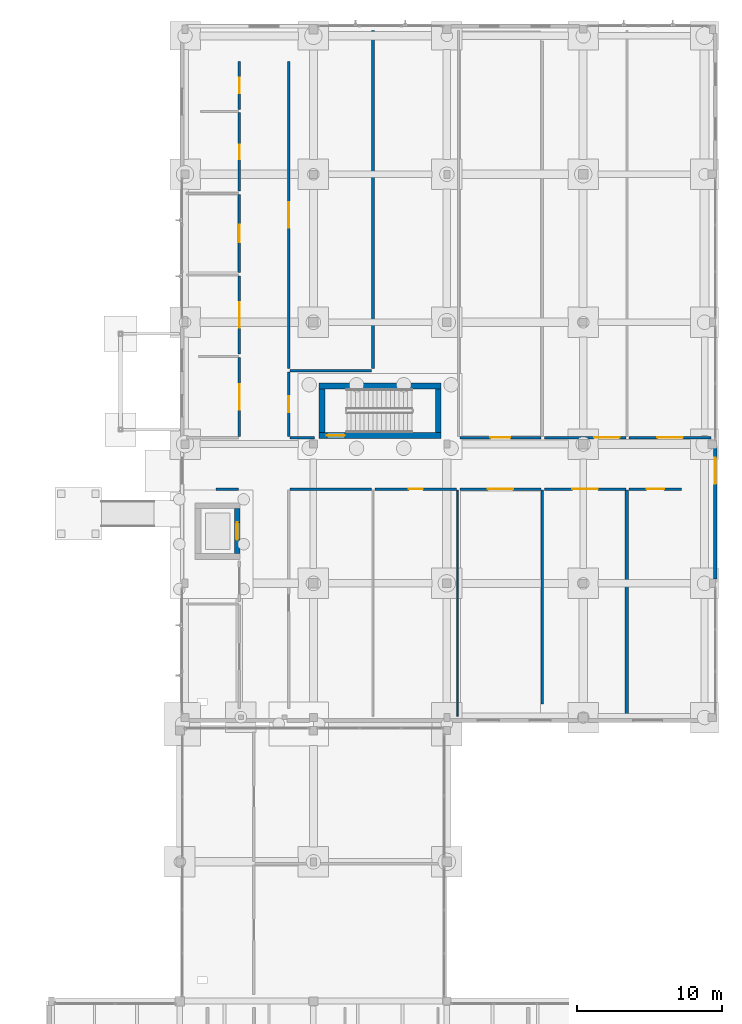
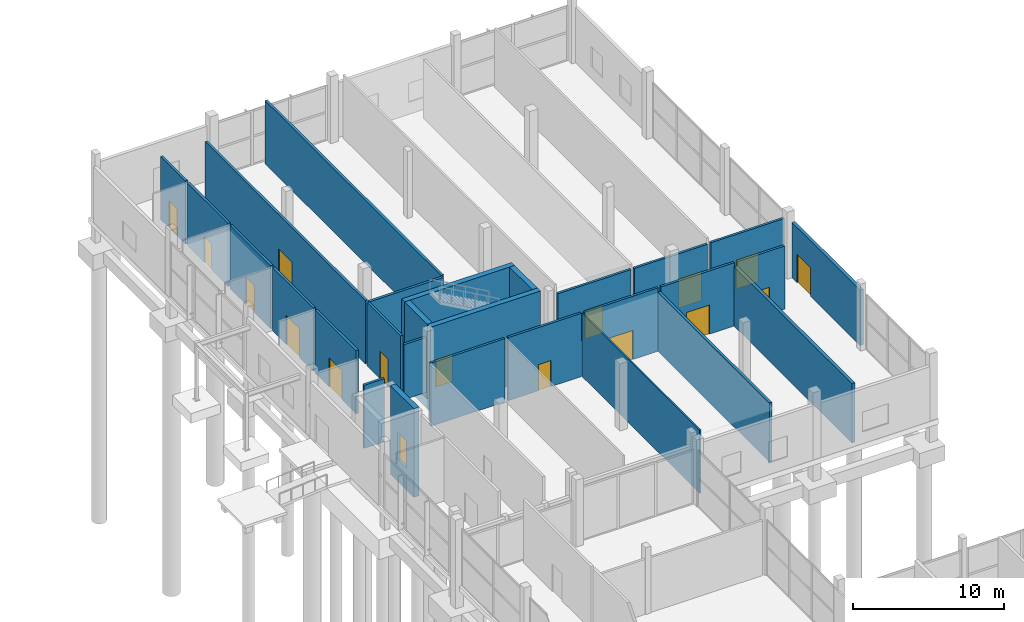
# One storey, part 69 of 88: 28 walls, 17 doors, 17 openings.
"""IFC4 building model written with IfcOpenShell, lengths in metres."""

from ifc_helpers import new_model, si_unit, direction, frame, frame_2d, origin, place, context, subcontext, project, spatial, rectangle, extrude, material, layer, layer_set, type_object, element, fill, save


model = new_model("IFC4")

# Units and contexts
model_context = context("Model", 3, precision=1e-05, world=origin(), true_north=direction((0.0, 1.0)))
body_context = subcontext(model_context, "Body", "Model", "MODEL_VIEW")
ifc_project = project(units=[si_unit("LENGTHUNIT", "METRE"), si_unit("AREAUNIT", "SQUARE_METRE"), si_unit("VOLUMEUNIT", "CUBIC_METRE"), si_unit("PLANEANGLEUNIT", "RADIAN"), si_unit("MASSUNIT", "GRAM", prefix="KILO")], contexts=[model_context])

# Site, building, storey
site_placement = place(None, origin())
site = spatial("IfcSite", under=ifc_project, at=site_placement, CompositionType="ELEMENT")
building_placement = place(site_placement, origin())
building = spatial("IfcBuilding", under=site, at=building_placement, Name="Birchvale Park Specialist Clinic", CompositionType="ELEMENT")
storey_placement = place(building_placement, origin())
storey = spatial("IfcBuildingStorey", under=building, at=storey_placement, Name="L00", CompositionType="ELEMENT", Elevation=0.0)

# Wall, opening, door
ifc_material_1 = material(Name="Concrete C40/50", Category="concrete")
ifc_layer_1 = layer(ifc_material_1, 0.39990234375)
ifc_layer_set_1 = layer_set([ifc_layer_1], Name="Concrete C40/50")
wall_type_1 = type_object("IfcWallType", Name="WL-CW-120", PredefinedType="SHEAR", material=ifc_layer_set_1)
wall_1_placement = place(storey_placement, frame((137.60009765625, 83.39990234375, -1.75), z_axis=(0.0, 0.0, 1.0), x_axis=(1.0, 0.0, 0.0)))
wall_1 = element("IfcWall", 1, at=wall_1_placement, inside=storey, type_object=wall_type_1, Name="L00 stair ST3 EI 120 enclosure wall (south)", PredefinedType="SHEAR", context=body_context, shape_type="SweptSolid", body=[
    extrude(rectangle(XDim=8.39990234375, YDim=0.39990234375, at=frame_2d((4.199951171875, 0.0))), origin(), (0.0, 0.0, 1.0), 6.85009765625),
])
opening_1_placement = place(wall_1_placement, frame((0.52001953125, 0.0, 1.75)))
opening_1 = element("IfcOpeningElement", 2, at=opening_1_placement, cuts=wall_1, Name="Opening ID-FD60", PredefinedType="OPENING", context=body_context, shape_type="SweptSolid", body=[
    extrude(rectangle(XDim=1.25, YDim=2.199951171875, at=frame_2d((0.625, 1.10009765625))), frame((0.0, 0.2099609375, 0.0), z_axis=(0.0, -1.0, 0.0), x_axis=(1.0, 0.0, 0.0)), (0.0, 0.0, 1.0), 0.419921875),
])
ifc_material_2 = material(Name="Solid-core birch veneer and anodised aluminium", Category="aluminium")
door_type_1 = type_object("IfcDoorType", Name="DR-ID-FD60", OperationType="NOTDEFINED", PredefinedType="DOOR", material=ifc_material_2)
door_1_placement = place(opening_1_placement, origin())
door_1 = element("IfcDoor", 3, at=door_1_placement, inside=storey, type_object=door_type_1, Name="L00 stair ST3 fire door", OperationType="SINGLE_SWING_RIGHT", OverallHeight=2.199951171875, OverallWidth=1.25, PredefinedType="DOOR", context=body_context, shape_type="SweptSolid", body=[
    extrude(rectangle(XDim=1.25, YDim=2.199951171875, at=frame_2d((0.625, 1.10009765625))), frame((0.0, 0.02490234375, 0.0), z_axis=(0.0, -1.0, 0.0), x_axis=(1.0, 0.0, 0.0)), (0.0, 0.0, 1.0), 0.050048828125),
])
fill(opening_1, door_1)

# Walls
wall_2_placement = place(storey_placement, frame((146.0, 86.800048828125, -1.75), z_axis=(0.0, 0.0, 1.0), x_axis=(-1.0, 0.0, 0.0)))
element("IfcWall", 4, at=wall_2_placement, inside=storey, type_object=wall_type_1, Name="L00 stair ST3 EI 120 enclosure wall (north)", PredefinedType="SHEAR", context=body_context, shape_type="SweptSolid", body=[
    extrude(rectangle(XDim=8.39990234375, YDim=0.39990234375, at=frame_2d((4.199951171875, 0.0))), origin(), (0.0, 0.0, 1.0), 6.85009765625),
])
for number, where, z_axis, x_axis, name in (
    (5, (137.800048828125, 83.60009765625, -1.75), (0.0, 0.0, 1.0), (0.0, 1.0, 0.0), "L00 stair ST3 EI 120 enclosure wall (west)"),
    (6, (145.800048828125, 86.60009765625, -1.75), (0.0, 0.0, 1.0), (0.0, -1.0, 0.0), "L00 stair ST3 EI 120 enclosure wall (east)"),
):
    element("IfcWall", number, at=place(storey_placement, frame(where, z_axis=z_axis, x_axis=x_axis)), inside=storey, type_object=wall_type_1, Name=name, PredefinedType="SHEAR", context=body_context, shape_type="SweptSolid", body=[
        extrude(rectangle(XDim=3.0, YDim=0.39990234375, at=frame_2d((1.5, 0.0))), origin(), (0.0, 0.0, 1.0), 6.85009765625),
    ])

# Wall, opening, door
wall_3_placement = place(storey_placement, frame((131.949951171875, 78.35009765625, -1.75), z_axis=(0.0, 0.0, 1.0), x_axis=(0.0, -1.0, 0.0)))
wall_3 = element("IfcWall", 7, at=wall_3_placement, inside=storey, type_object=wall_type_1, Name="L00 lift LP2 shaft wall (east)", PredefinedType="SHEAR", context=body_context, shape_type="SweptSolid", body=[
    extrude(rectangle(XDim=3.10009765625, YDim=0.39990234375, at=frame_2d((1.550048828125, 0.0))), origin(), (0.0, 0.0, 1.0), 7.14990234375),
])
opening_2_placement = place(wall_3_placement, frame((0.949951171875, 0.0, 1.75)))
opening_2 = element("IfcOpeningElement", 8, at=opening_2_placement, cuts=wall_3, Name="Opening LD-01", PredefinedType="OPENING", context=body_context, shape_type="SweptSolid", body=[
    extrude(rectangle(XDim=1.199951171875, YDim=2.199951171875, at=frame_2d((0.60009765625, 1.10009765625))), frame((0.0, 0.2099609375, 0.0), z_axis=(0.0, -1.0, 0.0), x_axis=(1.0, 0.0, 0.0)), (0.0, 0.0, 1.0), 0.419921875),
])
door_type_2 = type_object("IfcDoorType", Name="DR-LD-01", OperationType="DOUBLE_DOOR_SLIDING", PredefinedType="DOOR", material=ifc_material_2)
door_2_placement = place(opening_2_placement, origin())
door_2 = element("IfcDoor", 9, at=door_2_placement, inside=storey, type_object=door_type_2, Name="L00 lift LP2 sliding landing door", OperationType="DOUBLE_DOOR_SLIDING", OverallHeight=2.199951171875, OverallWidth=1.199951171875, PredefinedType="DOOR", context=body_context, shape_type="SweptSolid", body=[
    extrude(rectangle(XDim=1.199951171875, YDim=2.199951171875, at=frame_2d((0.60009765625, 1.10009765625))), frame((0.0, 0.02490234375, 0.0), z_axis=(0.0, -1.0, 0.0), x_axis=(1.0, 0.0, 0.0)), (0.0, 0.0, 1.0), 0.050048828125),
])
fill(opening_2, door_2)

ifc_material_3 = material(Name="Lime-white mineral-rendered insulated masonry", Category="masonry")
ifc_layer_2 = layer(ifc_material_3, 0.25)
ifc_layer_set_2 = layer_set([ifc_layer_2], Name="Lime-white mineral-rendered insulated masonry")
wall_type_2 = type_object("IfcWallType", Name="WL-EW-05", PredefinedType="STANDARD", material=ifc_layer_set_2)
wall_4_placement = place(storey_placement, frame((164.905029296875, 73.485107421875, 0.0), z_axis=(0.0, 0.0, 1.0), x_axis=(0.0, 1.0, 0.0)))
wall_4 = element("IfcWall", 10, at=wall_4_placement, inside=storey, type_object=wall_type_2, Name="V6 L00 exterior facade wall 107", PredefinedType="STANDARD", context=body_context, shape_type="SweptSolid", body=[
    extrude(rectangle(XDim=9.02978515625, YDim=0.25, at=frame_2d((4.514892578125, 0.0))), origin(), (0.0, 0.0, 1.0), 4.469970703125),
])
opening_3_placement = place(wall_4_placement, frame((6.574951171875, 0.0, 0.0)))
opening_3 = element("IfcOpeningElement", 11, at=opening_3_placement, cuts=wall_4, Name="Opening ED-03", PredefinedType="OPENING", context=body_context, shape_type="SweptSolid", body=[
    extrude(rectangle(XDim=1.800048828125, YDim=2.300048828125, at=frame_2d((0.89990234375, 1.14990234375))), frame((0.0, 0.135009765625, 0.0), z_axis=(0.0, -1.0, 0.0), x_axis=(1.0, 0.0, 0.0)), (0.0, 0.0, 1.0), 0.27001953125),
])
ifc_material_4 = material(Name="Powder-coated aluminium and laminated safety glass", Category="aluminium")
door_type_3 = type_object("IfcDoorType", Name="DR-ED-03", OperationType="DOUBLE_DOOR_SINGLE_SWING", PredefinedType="DOOR", material=ifc_material_4)
door_3_placement = place(opening_3_placement, frame((1.800048828125, 0.0, 0.0), z_axis=(0.0, 0.0, 1.0), x_axis=(-1.0, 0.0, 0.0)))
door_3 = element("IfcDoor", 12, at=door_3_placement, inside=storey, type_object=door_type_3, Name="L00 V6 final exit double door 30", OperationType="DOUBLE_DOOR_SINGLE_SWING", OverallHeight=2.300048828125, OverallWidth=1.800048828125, PredefinedType="DOOR", context=body_context, shape_type="SweptSolid", body=[
    extrude(rectangle(XDim=1.800048828125, YDim=2.300048828125, at=frame_2d((0.89990234375, 1.14990234375))), frame((0.0, 0.02490234375, 0.0), z_axis=(0.0, -1.0, 0.0), x_axis=(1.0, 0.0, 0.0)), (0.0, 0.0, 1.0), 0.050048828125),
])
fill(opening_3, door_3)

# Walls
ifc_material_5 = material(Name="Acoustic gypsum board on metal framing")
ifc_layer_3 = layer(ifc_material_5, 0.10009765625)
ifc_layer_set_3 = layer_set([ifc_layer_3], Name="Acoustic gypsum board on metal framing")
wall_type_3 = type_object("IfcWallType", Name="WL-IW-06", PredefinedType="PARTITIONING", material=ifc_layer_set_3)
wall_5_placement = place(storey_placement, frame((147.135986328125, 79.6201171875, 0.0), z_axis=(0.0, 0.0, 1.0), x_axis=(0.0, -1.0, 0.0)))
element("IfcWall", 13, at=wall_5_placement, inside=storey, type_object=wall_type_3, Name="V6 L00 clinical partition 258", PredefinedType="PARTITIONING", context=body_context, shape_type="SweptSolid", body=[
    extrude(rectangle(XDim=15.580078125, YDim=0.10009765625, at=frame_2d((7.7900390625, 0.0))), origin(), (0.0, 0.0, 1.0), 5.10009765625),
])
ifc_layer_4 = layer(ifc_material_5, 0.195068359375)
ifc_layer_set_4 = layer_set([ifc_layer_4], Name="Acoustic gypsum board on metal framing")
wall_type_4 = type_object("IfcWallType", Name="WL-IW-07", PredefinedType="PARTITIONING", material=ifc_layer_set_4)
wall_6_placement = place(storey_placement, frame((152.97412109375, 79.6201171875, 0.0), z_axis=(0.0, 0.0, 1.0), x_axis=(0.0, -1.0, 0.0)))
element("IfcWall", 14, at=wall_6_placement, inside=storey, type_object=wall_type_4, Name="V6 L00 clinical partition 260", PredefinedType="PARTITIONING", context=body_context, shape_type="SweptSolid", body=[
    extrude(rectangle(XDim=14.75, YDim=0.195068359375, at=frame_2d((7.375, 0.0))), origin(), (0.0, 0.0, 1.0), 4.76806640625),
])
wall_7_placement = place(storey_placement, frame((135.580078125, 87.85009765625, 0.0), z_axis=(0.0, 0.0, 1.0), x_axis=(1.0, 0.0, 0.0)))
element("IfcWall", 15, at=wall_7_placement, inside=storey, type_object=wall_type_4, Name="V6 L00 clinical partition 275", PredefinedType="PARTITIONING", context=body_context, shape_type="SweptSolid", body=[
    extrude(rectangle(XDim=5.637939453125, YDim=0.195068359375, at=frame_2d((2.81884765625, 0.0))), origin(), (0.0, 0.0, 1.0), 5.10009765625),
])
wall_8_placement = place(storey_placement, frame((141.298095703125, 111.31005859375, 0.0), z_axis=(0.0, 0.0, 1.0), x_axis=(0.0, -1.0, 0.0)))
element("IfcWall", 16, at=wall_8_placement, inside=storey, type_object=wall_type_4, Name="V6 L00 clinical partition 277", PredefinedType="PARTITIONING", context=body_context, shape_type="SweptSolid", body=[
    extrude(rectangle(XDim=23.300048828125, YDim=0.195068359375, at=frame_2d((11.64990234375, 0.0))), origin(), (0.0, 0.0, 1.0), 5.10009765625),
])
ifc_layer_5 = layer(ifc_material_5, 0.239990234375)
ifc_layer_set_5 = layer_set([ifc_layer_5], Name="Acoustic gypsum board on metal framing")
wall_type_5 = type_object("IfcWallType", Name="WL-IW-08", PredefinedType="PARTITIONING", material=ifc_layer_set_5)
wall_9_placement = place(storey_placement, frame((158.81201171875, 79.6201171875, 0.0), z_axis=(0.0, 0.0, 1.0), x_axis=(0.0, -1.0, 0.0)))
element("IfcWall", 17, at=wall_9_placement, inside=storey, type_object=wall_type_5, Name="V6 L00 clinical partition 262", PredefinedType="PARTITIONING", context=body_context, shape_type="SweptSolid", body=[
    extrude(rectangle(XDim=15.580078125, YDim=0.239990234375, at=frame_2d((7.7900390625, 0.0))), origin(), (0.0, 0.0, 1.0), 4.79296875),
])
ifc_layer_6 = layer(ifc_material_5, 0.179931640625)
ifc_layer_set_6 = layer_set([ifc_layer_6], Name="Acoustic gypsum board on metal framing")
wall_type_6 = type_object("IfcWallType", Name="WL-IW-60", PredefinedType="PARTITIONING", material=ifc_layer_set_6)
wall_10_placement = place(storey_placement, frame((130.47509765625, 79.699951171875, 0.0), z_axis=(0.0, 0.0, 1.0), x_axis=(1.0, 0.0, 0.0)))
element("IfcWall", 18, at=wall_10_placement, inside=storey, type_object=wall_type_6, Name="V6 L00 clinical partition 253", PredefinedType="PARTITIONING", context=body_context, shape_type="SweptSolid", body=[
    extrude(rectangle(XDim=1.544921875, YDim=0.179931640625, at=frame_2d((0.7724609375, 0.0))), origin(), (0.0, 0.0, 1.0), 5.10009765625),
])
wall_11_placement = place(storey_placement, frame((135.580078125, 79.699951171875, 0.0), z_axis=(0.0, 0.0, 1.0), x_axis=(1.0, 0.0, 0.0)))
element("IfcWall", 19, at=wall_11_placement, inside=storey, type_object=wall_type_6, Name="V6 L00 clinical partition 254", PredefinedType="PARTITIONING", context=body_context, shape_type="SweptSolid", body=[
    extrude(rectangle(XDim=5.637939453125, YDim=0.179931640625, at=frame_2d((2.81884765625, 0.0))), origin(), (0.0, 0.0, 1.0), 5.10009765625),
])

# Wall, opening, door
wall_12_placement = place(storey_placement, frame((141.4580078125, 79.699951171875, 0.0), z_axis=(0.0, 0.0, 1.0), x_axis=(1.0, 0.0, 0.0)))
wall_12 = element("IfcWall", 20, at=wall_12_placement, inside=storey, type_object=wall_type_6, Name="V6 L00 clinical partition 257", PredefinedType="PARTITIONING", context=body_context, shape_type="SweptSolid", body=[
    extrude(rectangle(XDim=5.597900390625, YDim=0.179931640625, at=frame_2d((2.798828125, 0.0))), origin(), (0.0, 0.0, 1.0), 5.10009765625),
])
opening_4_placement = place(wall_12_placement, frame((2.319091796875, 0.0, 0.0)))
opening_4 = element("IfcOpeningElement", 21, at=opening_4_placement, cuts=wall_12, Name="Opening ID-04", PredefinedType="OPENING", context=body_context, shape_type="SweptSolid", body=[
    extrude(rectangle(XDim=0.9599609375, YDim=2.10009765625, at=frame_2d((0.47998046875, 1.050048828125))), frame((0.0, 0.10009765625, 0.0), z_axis=(0.0, -1.0, 0.0), x_axis=(1.0, 0.0, 0.0)), (0.0, 0.0, 1.0), 0.199951171875),
])
door_type_4 = type_object("IfcDoorType", Name="DR-ID-04", OperationType="NOTDEFINED", PredefinedType="DOOR", material=ifc_material_2)
door_4_placement = place(opening_4_placement, origin())
door_4 = element("IfcDoor", 22, at=door_4_placement, inside=storey, type_object=door_type_4, Name="L00 Medical Reference Library door", OperationType="SINGLE_SWING_RIGHT", OverallHeight=2.10009765625, OverallWidth=0.9599609375, PredefinedType="DOOR", context=body_context, shape_type="SweptSolid", body=[
    extrude(rectangle(XDim=0.9599609375, YDim=2.10009765625, at=frame_2d((0.47998046875, 1.050048828125))), frame((0.0, 0.02490234375, 0.0), z_axis=(0.0, -1.0, 0.0), x_axis=(1.0, 0.0, 0.0)), (0.0, 0.0, 1.0), 0.050048828125),
])
fill(opening_4, door_4)

wall_13_placement = place(storey_placement, frame((147.2958984375, 79.699951171875, 0.0), z_axis=(0.0, 0.0, 1.0), x_axis=(1.0, 0.0, 0.0)))
wall_13 = element("IfcWall", 23, at=wall_13_placement, inside=storey, type_object=wall_type_6, Name="V6 L00 clinical partition 259", PredefinedType="PARTITIONING", context=body_context, shape_type="SweptSolid", body=[
    extrude(rectangle(XDim=5.59814453125, YDim=0.179931640625, at=frame_2d((2.799072265625, 0.0))), origin(), (0.0, 0.0, 1.0), 5.10009765625),
])
opening_5_placement = place(wall_13_placement, frame((1.924072265625, 0.0, 0.0)))
opening_5 = element("IfcOpeningElement", 24, at=opening_5_placement, cuts=wall_13, Name="Opening ID-09", PredefinedType="OPENING", context=body_context, shape_type="SweptSolid", body=[
    extrude(rectangle(XDim=1.75, YDim=2.35009765625, at=frame_2d((0.875, 1.175048828125))), frame((0.0, 0.10009765625, 0.0), z_axis=(0.0, -1.0, 0.0), x_axis=(1.0, 0.0, 0.0)), (0.0, 0.0, 1.0), 0.199951171875),
])
door_type_5 = type_object("IfcDoorType", Name="DR-ID-09", OperationType="DOUBLE_DOOR_SINGLE_SWING", PredefinedType="DOOR", material=ifc_material_2)
door_5_placement = place(opening_5_placement, origin())
door_5 = element("IfcDoor", 25, at=door_5_placement, inside=storey, type_object=door_type_5, Name="L00 Medical Lecture Auditorium door", OperationType="DOUBLE_DOOR_SINGLE_SWING", OverallHeight=2.35009765625, OverallWidth=1.75, PredefinedType="DOOR", context=body_context, shape_type="SweptSolid", body=[
    extrude(rectangle(XDim=1.75, YDim=2.35009765625, at=frame_2d((0.875, 1.175048828125))), frame((0.0, 0.02490234375, 0.0), z_axis=(0.0, -1.0, 0.0), x_axis=(1.0, 0.0, 0.0)), (0.0, 0.0, 1.0), 0.050048828125),
])
fill(opening_5, door_5)

wall_14_placement = place(storey_placement, frame((153.134033203125, 79.699951171875, 0.0), z_axis=(0.0, 0.0, 1.0), x_axis=(1.0, 0.0, 0.0)))
wall_14 = element("IfcWall", 26, at=wall_14_placement, inside=storey, type_object=wall_type_6, Name="V6 L00 clinical partition 261", PredefinedType="PARTITIONING", context=body_context, shape_type="SweptSolid", body=[
    extrude(rectangle(XDim=5.597900390625, YDim=0.179931640625, at=frame_2d((2.798828125, 0.0))), origin(), (0.0, 0.0, 1.0), 5.10009765625),
])
opening_6_placement = place(wall_14_placement, frame((1.924072265625, 0.0, 0.0)))
opening_6 = element("IfcOpeningElement", 27, at=opening_6_placement, cuts=wall_14, Name="Opening ID-09", PredefinedType="OPENING", context=body_context, shape_type="SweptSolid", body=[
    extrude(rectangle(XDim=1.75, YDim=2.35009765625, at=frame_2d((0.875, 1.175048828125))), frame((0.0, 0.10009765625, 0.0), z_axis=(0.0, -1.0, 0.0), x_axis=(1.0, 0.0, 0.0)), (0.0, 0.0, 1.0), 0.199951171875),
])
door_6_placement = place(opening_6_placement, origin())
door_6 = element("IfcDoor", 28, at=door_6_placement, inside=storey, type_object=door_type_5, Name="L00 Medical Lecture Auditorium door", OperationType="DOUBLE_DOOR_SINGLE_SWING", OverallHeight=2.35009765625, OverallWidth=1.75, PredefinedType="DOOR", context=body_context, shape_type="SweptSolid", body=[
    extrude(rectangle(XDim=1.75, YDim=2.35009765625, at=frame_2d((0.875, 1.175048828125))), frame((0.0, 0.02490234375, 0.0), z_axis=(0.0, -1.0, 0.0), x_axis=(1.0, 0.0, 0.0)), (0.0, 0.0, 1.0), 0.050048828125),
])
fill(opening_6, door_6)

wall_15_placement = place(storey_placement, frame((158.971923828125, 79.699951171875, 0.0), z_axis=(0.0, 0.0, 1.0), x_axis=(1.0, 0.0, 0.0)))
wall_15 = element("IfcWall", 29, at=wall_15_placement, inside=storey, type_object=wall_type_6, Name="V6 L00 clinical partition 263", PredefinedType="PARTITIONING", context=body_context, shape_type="SweptSolid", body=[
    extrude(rectangle(XDim=3.60302734375, YDim=0.179931640625, at=frame_2d((1.801513671875, 0.0))), origin(), (0.0, 0.0, 1.0), 5.10009765625),
])
opening_7_placement = place(wall_15_placement, frame((1.19140625, 0.0, 0.0)))
opening_7 = element("IfcOpeningElement", 30, at=opening_7_placement, cuts=wall_15, Name="Opening ID-10", PredefinedType="OPENING", context=body_context, shape_type="SweptSolid", body=[
    extrude(rectangle(XDim=1.219970703125, YDim=2.179931640625, at=frame_2d((0.60986328125, 1.08984375))), frame((0.0, 0.10009765625, 0.0), z_axis=(0.0, -1.0, 0.0), x_axis=(1.0, 0.0, 0.0)), (0.0, 0.0, 1.0), 0.199951171875),
])
door_type_6 = type_object("IfcDoorType", Name="DR-ID-10", OperationType="NOTDEFINED", PredefinedType="DOOR", material=ifc_material_2)
door_7_placement = place(opening_7_placement, origin())
door_7 = element("IfcDoor", 31, at=door_7_placement, inside=storey, type_object=door_type_6, Name="L00 Preventive Medicine Clinic door", OperationType="SINGLE_SWING_LEFT", OverallHeight=2.179931640625, OverallWidth=1.219970703125, PredefinedType="DOOR", context=body_context, shape_type="SweptSolid", body=[
    extrude(rectangle(XDim=1.219970703125, YDim=2.179931640625, at=frame_2d((0.60986328125, 1.08984375))), frame((0.0, 0.02490234375, 0.0), z_axis=(0.0, -1.0, 0.0), x_axis=(1.0, 0.0, 0.0)), (0.0, 0.0, 1.0), 0.050048828125),
])
fill(opening_7, door_7)

wall_16_placement = place(storey_placement, frame((132.10009765625, 88.758056640625, 0.0), z_axis=(0.0, 0.0, 1.0), x_axis=(0.0, -1.0, 0.0)))
wall_16 = element("IfcWall", 32, at=wall_16_placement, inside=storey, type_object=wall_type_6, Name="V6 L00 clinical partition 265", PredefinedType="PARTITIONING", context=body_context, shape_type="SweptSolid", body=[
    extrude(rectangle(XDim=5.427978515625, YDim=0.179931640625, at=frame_2d((2.7138671875, 0.0))), origin(), (0.0, 0.0, 1.0), 5.10009765625),
])
opening_8_placement = place(wall_16_placement, frame((1.839111328125, 0.0, 0.0)))
opening_8 = element("IfcOpeningElement", 33, at=opening_8_placement, cuts=wall_16, Name="Opening ID-09", PredefinedType="OPENING", context=body_context, shape_type="SweptSolid", body=[
    extrude(rectangle(XDim=1.75, YDim=2.35009765625, at=frame_2d((0.875, 1.175048828125))), frame((0.0, 0.10009765625, 0.0), z_axis=(0.0, -1.0, 0.0), x_axis=(1.0, 0.0, 0.0)), (0.0, 0.0, 1.0), 0.199951171875),
])
door_8_placement = place(opening_8_placement, origin())
door_8 = element("IfcDoor", 34, at=door_8_placement, inside=storey, type_object=door_type_5, Name="L00 Medical Lecture Auditorium door", OperationType="DOUBLE_DOOR_SINGLE_SWING", OverallHeight=2.35009765625, OverallWidth=1.75, PredefinedType="DOOR", context=body_context, shape_type="SweptSolid", body=[
    extrude(rectangle(XDim=1.75, YDim=2.35009765625, at=frame_2d((0.875, 1.175048828125))), frame((0.0, 0.02490234375, 0.0), z_axis=(0.0, -1.0, 0.0), x_axis=(1.0, 0.0, 0.0)), (0.0, 0.0, 1.0), 0.050048828125),
])
fill(opening_8, door_8)

wall_17_placement = place(storey_placement, frame((132.10009765625, 94.385986328125, 0.0), z_axis=(0.0, 0.0, 1.0), x_axis=(0.0, -1.0, 0.0)))
wall_17 = element("IfcWall", 35, at=wall_17_placement, inside=storey, type_object=wall_type_6, Name="V6 L00 clinical partition 268", PredefinedType="PARTITIONING", context=body_context, shape_type="SweptSolid", body=[
    extrude(rectangle(XDim=5.387939453125, YDim=0.179931640625, at=frame_2d((2.69384765625, 0.0))), origin(), (0.0, 0.0, 1.0), 5.10009765625),
])
opening_9_placement = place(wall_17_placement, frame((1.819091796875, 0.0, 0.0)))
opening_9 = element("IfcOpeningElement", 36, at=opening_9_placement, cuts=wall_17, Name="Opening ID-09", PredefinedType="OPENING", context=body_context, shape_type="SweptSolid", body=[
    extrude(rectangle(XDim=1.75, YDim=2.35009765625, at=frame_2d((0.875, 1.175048828125))), frame((0.0, 0.10009765625, 0.0), z_axis=(0.0, -1.0, 0.0), x_axis=(1.0, 0.0, 0.0)), (0.0, 0.0, 1.0), 0.199951171875),
])
door_9_placement = place(opening_9_placement, origin())
door_9 = element("IfcDoor", 37, at=door_9_placement, inside=storey, type_object=door_type_5, Name="L00 Clinical Seminar Room door", OperationType="DOUBLE_DOOR_SINGLE_SWING", OverallHeight=2.35009765625, OverallWidth=1.75, PredefinedType="DOOR", context=body_context, shape_type="SweptSolid", body=[
    extrude(rectangle(XDim=1.75, YDim=2.35009765625, at=frame_2d((0.875, 1.175048828125))), frame((0.0, 0.02490234375, 0.0), z_axis=(0.0, -1.0, 0.0), x_axis=(1.0, 0.0, 0.0)), (0.0, 0.0, 1.0), 0.050048828125),
])
fill(opening_9, door_9)

wall_18_placement = place(storey_placement, frame((132.10009765625, 100.013916015625, 0.0), z_axis=(0.0, 0.0, 1.0), x_axis=(0.0, -1.0, 0.0)))
wall_18 = element("IfcWall", 38, at=wall_18_placement, inside=storey, type_object=wall_type_6, Name="V6 L00 clinical partition 270", PredefinedType="PARTITIONING", context=body_context, shape_type="SweptSolid", body=[
    extrude(rectangle(XDim=5.387939453125, YDim=0.179931640625, at=frame_2d((2.69384765625, 0.0))), origin(), (0.0, 0.0, 1.0), 5.10009765625),
])
opening_10_placement = place(wall_18_placement, frame((2.10400390625, 0.0, 0.0)))
opening_10 = element("IfcOpeningElement", 39, at=opening_10_placement, cuts=wall_18, Name="Opening ID-ST60", PredefinedType="OPENING", context=body_context, shape_type="SweptSolid", body=[
    extrude(rectangle(XDim=1.179931640625, YDim=2.179931640625, at=frame_2d((0.58984375, 1.08984375))), frame((0.0, 0.10009765625, 0.0), z_axis=(0.0, -1.0, 0.0), x_axis=(1.0, 0.0, 0.0)), (0.0, 0.0, 1.0), 0.199951171875),
])
door_type_7 = type_object("IfcDoorType", Name="DR-ID-ST60", OperationType="NOTDEFINED", PredefinedType="DOOR", material=ifc_material_2)
door_10_placement = place(opening_10_placement, origin())
door_10 = element("IfcDoor", 40, at=door_10_placement, inside=storey, type_object=door_type_7, Name="L00 Health Screening Clinic door", OperationType="SINGLE_SWING_RIGHT", OverallHeight=2.179931640625, OverallWidth=1.179931640625, PredefinedType="DOOR", context=body_context, shape_type="SweptSolid", body=[
    extrude(rectangle(XDim=1.179931640625, YDim=2.179931640625, at=frame_2d((0.58984375, 1.08984375))), frame((0.0, 0.02490234375, 0.0), z_axis=(0.0, -1.0, 0.0), x_axis=(1.0, 0.0, 0.0)), (0.0, 0.0, 1.0), 0.050048828125),
])
fill(opening_10, door_10)

wall_19_placement = place(storey_placement, frame((132.10009765625, 105.64208984375, 0.0), z_axis=(0.0, 0.0, 1.0), x_axis=(0.0, -1.0, 0.0)))
wall_19 = element("IfcWall", 41, at=wall_19_placement, inside=storey, type_object=wall_type_6, Name="V6 L00 clinical partition 272", PredefinedType="PARTITIONING", context=body_context, shape_type="SweptSolid", body=[
    extrude(rectangle(XDim=5.38818359375, YDim=0.179931640625, at=frame_2d((2.694091796875, 0.0))), origin(), (0.0, 0.0, 1.0), 5.10009765625),
])
opening_11_placement = place(wall_19_placement, frame((2.194091796875, 0.0, 0.0)))
opening_11 = element("IfcOpeningElement", 42, at=opening_11_placement, cuts=wall_19, Name="Opening ID-01", PredefinedType="OPENING", context=body_context, shape_type="SweptSolid", body=[
    extrude(rectangle(XDim=1.0, YDim=2.14990234375, at=frame_2d((0.5, 1.074951171875))), frame((0.0, 0.10009765625, 0.0), z_axis=(0.0, -1.0, 0.0), x_axis=(1.0, 0.0, 0.0)), (0.0, 0.0, 1.0), 0.199951171875),
])
door_type_8 = type_object("IfcDoorType", Name="DR-ID-01", OperationType="NOTDEFINED", PredefinedType="DOOR", material=ifc_material_2)
door_11_placement = place(opening_11_placement, origin())
door_11 = element("IfcDoor", 43, at=door_11_placement, inside=storey, type_object=door_type_8, Name="L00 Medical Reference Library door", OperationType="SINGLE_SWING_LEFT", OverallHeight=2.14990234375, OverallWidth=1.0, PredefinedType="DOOR", context=body_context, shape_type="SweptSolid", body=[
    extrude(rectangle(XDim=1.0, YDim=2.14990234375, at=frame_2d((0.5, 1.074951171875))), frame((0.0, 0.02490234375, 0.0), z_axis=(0.0, -1.0, 0.0), x_axis=(1.0, 0.0, 0.0)), (0.0, 0.0, 1.0), 0.050048828125),
])
fill(opening_11, door_11)

wall_20_placement = place(storey_placement, frame((132.10009765625, 109.175048828125, 0.0), z_axis=(0.0, 0.0, 1.0), x_axis=(0.0, -1.0, 0.0)))
wall_20 = element("IfcWall", 44, at=wall_20_placement, inside=storey, type_object=wall_type_6, Name="V6 L00 clinical partition 273", PredefinedType="PARTITIONING", context=body_context, shape_type="SweptSolid", body=[
    extrude(rectangle(XDim=3.29296875, YDim=0.179931640625, at=frame_2d((1.646484375, 0.0))), origin(), (0.0, 0.0, 1.0), 5.10009765625),
])
opening_12_placement = place(wall_20_placement, frame((1.1064453125, 0.0, 0.0)))
opening_12 = element("IfcOpeningElement", 45, at=opening_12_placement, cuts=wall_20, Name="Opening ID-03", PredefinedType="OPENING", context=body_context, shape_type="SweptSolid", body=[
    extrude(rectangle(XDim=1.080078125, YDim=2.199951171875, at=frame_2d((0.5400390625, 1.10009765625))), frame((0.0, 0.10009765625, 0.0), z_axis=(0.0, -1.0, 0.0), x_axis=(1.0, 0.0, 0.0)), (0.0, 0.0, 1.0), 0.199951171875),
])
door_type_9 = type_object("IfcDoorType", Name="DR-ID-03", OperationType="NOTDEFINED", PredefinedType="DOOR", material=ifc_material_2)
door_12_placement = place(opening_12_placement, origin())
door_12 = element("IfcDoor", 46, at=door_12_placement, inside=storey, type_object=door_type_9, Name="L00 Accessible Patient WC door", OperationType="SINGLE_SWING_RIGHT", OverallHeight=2.199951171875, OverallWidth=1.080078125, PredefinedType="DOOR", context=body_context, shape_type="SweptSolid", body=[
    extrude(rectangle(XDim=1.080078125, YDim=2.199951171875, at=frame_2d((0.5400390625, 1.10009765625))), frame((0.0, 0.02490234375, 0.0), z_axis=(0.0, -1.0, 0.0), x_axis=(1.0, 0.0, 0.0)), (0.0, 0.0, 1.0), 0.050048828125),
])
fill(opening_12, door_12)

wall_21_placement = place(storey_placement, frame((135.5, 83.330078125, 0.0), z_axis=(0.0, 0.0, 1.0), x_axis=(0.0, 1.0, 0.0)))
wall_21 = element("IfcWall", 47, at=wall_21_placement, inside=storey, type_object=wall_type_6, Name="V6 L00 clinical partition 274", PredefinedType="PARTITIONING", context=body_context, shape_type="SweptSolid", body=[
    extrude(rectangle(XDim=4.43994140625, YDim=0.179931640625, at=frame_2d((2.219970703125, 0.0))), origin(), (0.0, 0.0, 1.0), 5.10009765625),
])
opening_13_placement = place(wall_21_placement, frame((1.679931640625, 0.0, 0.0)))
opening_13 = element("IfcOpeningElement", 48, at=opening_13_placement, cuts=wall_21, Name="Opening ID-03", PredefinedType="OPENING", context=body_context, shape_type="SweptSolid", body=[
    extrude(rectangle(XDim=1.080078125, YDim=2.199951171875, at=frame_2d((0.5400390625, 1.10009765625))), frame((0.0, 0.10009765625, 0.0), z_axis=(0.0, -1.0, 0.0), x_axis=(1.0, 0.0, 0.0)), (0.0, 0.0, 1.0), 0.199951171875),
])
door_13_placement = place(opening_13_placement, origin())
door_13 = element("IfcDoor", 49, at=door_13_placement, inside=storey, type_object=door_type_9, Name="L00 Accessible Staff WC door", OperationType="SINGLE_SWING_LEFT", OverallHeight=2.199951171875, OverallWidth=1.080078125, PredefinedType="DOOR", context=body_context, shape_type="SweptSolid", body=[
    extrude(rectangle(XDim=1.080078125, YDim=2.199951171875, at=frame_2d((0.5400390625, 1.10009765625))), frame((0.0, 0.02490234375, 0.0), z_axis=(0.0, -1.0, 0.0), x_axis=(1.0, 0.0, 0.0)), (0.0, 0.0, 1.0), 0.050048828125),
])
fill(opening_13, door_13)

# Wall
wall_22_placement = place(storey_placement, frame((137.264892578125, 83.25, 0.0), z_axis=(0.0, 0.0, 1.0), x_axis=(-1.0, 0.0, 0.0)))
element("IfcWall", 50, at=wall_22_placement, inside=storey, type_object=wall_type_6, Name="V6 L00 clinical partition 276", PredefinedType="PARTITIONING", context=body_context, shape_type="SweptSolid", body=[
    extrude(rectangle(XDim=1.684814453125, YDim=0.179931640625, at=frame_2d((0.84228515625, 0.0))), origin(), (0.0, 0.0, 1.0), 4.43505859375),
])

# Wall, opening, door
wall_23_placement = place(storey_placement, frame((135.5, 88.010009765625, 0.0), z_axis=(0.0, 0.0, 1.0), x_axis=(0.0, 1.0, 0.0)))
wall_23 = element("IfcWall", 51, at=wall_23_placement, inside=storey, type_object=wall_type_6, Name="V6 L00 clinical partition 278", PredefinedType="PARTITIONING", context=body_context, shape_type="SweptSolid", body=[
    extrude(rectangle(XDim=21.1650390625, YDim=0.179931640625, at=frame_2d((10.58251953125, 0.0))), origin(), (0.0, 0.0, 1.0), 5.10009765625),
])
opening_14_placement = place(wall_23_placement, frame((9.70751953125, 0.0, 0.0)))
opening_14 = element("IfcOpeningElement", 52, at=opening_14_placement, cuts=wall_23, Name="Opening ID-09", PredefinedType="OPENING", context=body_context, shape_type="SweptSolid", body=[
    extrude(rectangle(XDim=1.75, YDim=2.35009765625, at=frame_2d((0.875, 1.175048828125))), frame((0.0, 0.10009765625, 0.0), z_axis=(0.0, -1.0, 0.0), x_axis=(1.0, 0.0, 0.0)), (0.0, 0.0, 1.0), 0.199951171875),
])
door_14_placement = place(opening_14_placement, origin())
door_14 = element("IfcDoor", 53, at=door_14_placement, inside=storey, type_object=door_type_5, Name="L00 Medical Lecture Auditorium door", OperationType="DOUBLE_DOOR_SINGLE_SWING", OverallHeight=2.35009765625, OverallWidth=1.75, PredefinedType="DOOR", context=body_context, shape_type="SweptSolid", body=[
    extrude(rectangle(XDim=1.75, YDim=2.35009765625, at=frame_2d((0.875, 1.175048828125))), frame((0.0, 0.02490234375, 0.0), z_axis=(0.0, -1.0, 0.0), x_axis=(1.0, 0.0, 0.0)), (0.0, 0.0, 1.0), 0.050048828125),
])
fill(opening_14, door_14)

wall_24_placement = place(storey_placement, frame((152.89404296875, 83.25, 0.0), z_axis=(0.0, 0.0, 1.0), x_axis=(-1.0, 0.0, 0.0)))
wall_24 = element("IfcWall", 54, at=wall_24_placement, inside=storey, type_object=wall_type_6, Name="V6 L00 clinical partition 280", PredefinedType="PARTITIONING", context=body_context, shape_type="SweptSolid", body=[
    extrude(rectangle(XDim=5.59814453125, YDim=0.179931640625, at=frame_2d((2.799072265625, 0.0))), origin(), (0.0, 0.0, 1.0), 4.43505859375),
])
opening_15_placement = place(wall_24_placement, frame((2.10888671875, 0.0, 0.0)))
opening_15 = element("IfcOpeningElement", 55, at=opening_15_placement, cuts=wall_24, Name="Opening ID-06", PredefinedType="OPENING", context=body_context, shape_type="SweptSolid", body=[
    extrude(rectangle(XDim=1.3798828125, YDim=2.25, at=frame_2d((0.68994140625, 1.125))), frame((0.0, 0.10009765625, 0.0), z_axis=(0.0, -1.0, 0.0), x_axis=(1.0, 0.0, 0.0)), (0.0, 0.0, 1.0), 0.199951171875),
])
door_type_10 = type_object("IfcDoorType", Name="DR-ID-06", OperationType="NOTDEFINED", PredefinedType="DOOR", material=ifc_material_2)
door_15_placement = place(opening_15_placement, origin())
door_15 = element("IfcDoor", 56, at=door_15_placement, inside=storey, type_object=door_type_10, Name="L00 Preventive Medicine Clinic door", OperationType="SINGLE_SWING_RIGHT", OverallHeight=2.25, OverallWidth=1.3798828125, PredefinedType="DOOR", context=body_context, shape_type="SweptSolid", body=[
    extrude(rectangle(XDim=1.3798828125, YDim=2.25, at=frame_2d((0.68994140625, 1.125))), frame((0.0, 0.02490234375, 0.0), z_axis=(0.0, -1.0, 0.0), x_axis=(1.0, 0.0, 0.0)), (0.0, 0.0, 1.0), 0.050048828125),
])
fill(opening_15, door_15)

wall_25_placement = place(storey_placement, frame((158.73193359375, 83.25, 0.0), z_axis=(0.0, 0.0, 1.0), x_axis=(-1.0, 0.0, 0.0)))
wall_25 = element("IfcWall", 57, at=wall_25_placement, inside=storey, type_object=wall_type_6, Name="V6 L00 clinical partition 283", PredefinedType="PARTITIONING", context=body_context, shape_type="SweptSolid", body=[
    extrude(rectangle(XDim=5.597900390625, YDim=0.179931640625, at=frame_2d((2.798828125, 0.0))), origin(), (0.0, 0.0, 1.0), 4.43505859375),
])
opening_16_placement = place(wall_25_placement, frame((0.424072265625, 0.0, 0.0)))
opening_16 = element("IfcOpeningElement", 58, at=opening_16_placement, cuts=wall_25, Name="Opening ID-09", PredefinedType="OPENING", context=body_context, shape_type="SweptSolid", body=[
    extrude(rectangle(XDim=1.75, YDim=2.35009765625, at=frame_2d((0.875, 1.175048828125))), frame((0.0, 0.10009765625, 0.0), z_axis=(0.0, -1.0, 0.0), x_axis=(1.0, 0.0, 0.0)), (0.0, 0.0, 1.0), 0.199951171875),
])
door_16_placement = place(opening_16_placement, origin())
door_16 = element("IfcDoor", 59, at=door_16_placement, inside=storey, type_object=door_type_5, Name="L00 Medical Lecture Auditorium door", OperationType="DOUBLE_DOOR_SINGLE_SWING", OverallHeight=2.35009765625, OverallWidth=1.75, PredefinedType="DOOR", context=body_context, shape_type="SweptSolid", body=[
    extrude(rectangle(XDim=1.75, YDim=2.35009765625, at=frame_2d((0.875, 1.175048828125))), frame((0.0, 0.02490234375, 0.0), z_axis=(0.0, -1.0, 0.0), x_axis=(1.0, 0.0, 0.0)), (0.0, 0.0, 1.0), 0.050048828125),
])
fill(opening_16, door_16)

wall_26_placement = place(storey_placement, frame((164.610107421875, 83.25, 0.0), z_axis=(0.0, 0.0, 1.0), x_axis=(-1.0, 0.0, 0.0)))
wall_26 = element("IfcWall", 60, at=wall_26_placement, inside=storey, type_object=wall_type_6, Name="V6 L00 clinical partition 284", PredefinedType="PARTITIONING", context=body_context, shape_type="SweptSolid", body=[
    extrude(rectangle(XDim=5.63818359375, YDim=0.179931640625, at=frame_2d((2.819091796875, 0.0))), origin(), (0.0, 0.0, 1.0), 4.4599609375),
])
opening_17_placement = place(wall_26_placement, frame((1.944091796875, 0.0, 0.0)))
opening_17 = element("IfcOpeningElement", 61, at=opening_17_placement, cuts=wall_26, Name="Opening ID-09", PredefinedType="OPENING", context=body_context, shape_type="SweptSolid", body=[
    extrude(rectangle(XDim=1.75, YDim=2.35009765625, at=frame_2d((0.875, 1.175048828125))), frame((0.0, 0.10009765625, 0.0), z_axis=(0.0, -1.0, 0.0), x_axis=(1.0, 0.0, 0.0)), (0.0, 0.0, 1.0), 0.199951171875),
])
door_17_placement = place(opening_17_placement, origin())
door_17 = element("IfcDoor", 62, at=door_17_placement, inside=storey, type_object=door_type_5, Name="L00 Clinical Seminar Room door", OperationType="DOUBLE_DOOR_SINGLE_SWING", OverallHeight=2.35009765625, OverallWidth=1.75, PredefinedType="DOOR", context=body_context, shape_type="SweptSolid", body=[
    extrude(rectangle(XDim=1.75, YDim=2.35009765625, at=frame_2d((0.875, 1.175048828125))), frame((0.0, 0.02490234375, 0.0), z_axis=(0.0, -1.0, 0.0), x_axis=(1.0, 0.0, 0.0)), (0.0, 0.0, 1.0), 0.050048828125),
])
fill(opening_17, door_17)

save(model, "model.ifc")
